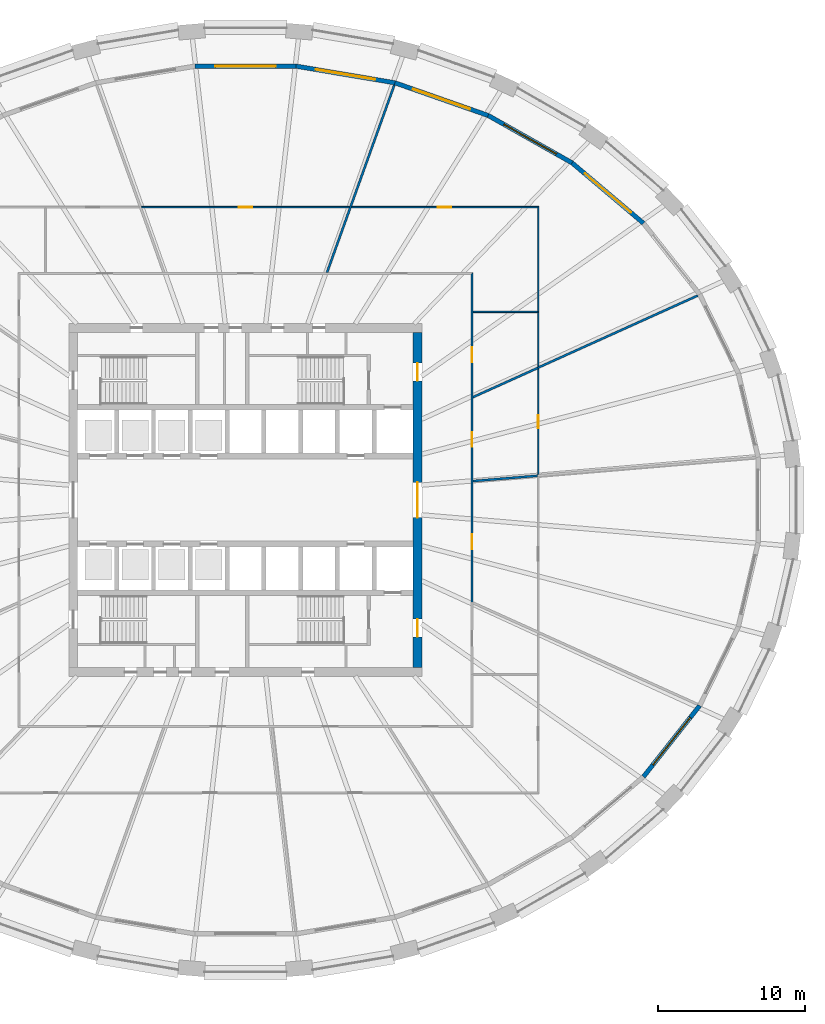
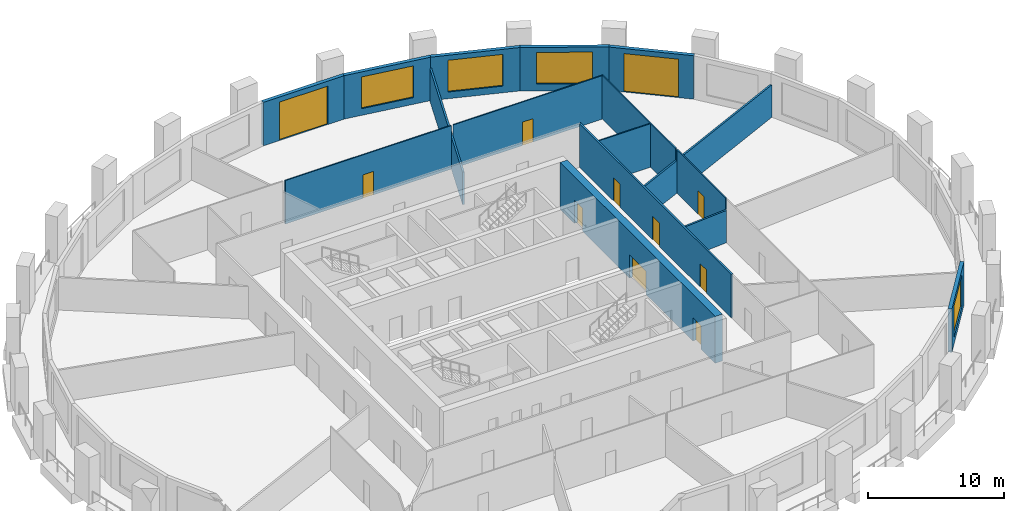
# One storey, part 7 of 11: 17 walls, 11 doors, 4 windows, 15 openings.
"""IFC4 building model written with IfcOpenShell, lengths in metres."""

from ifc_helpers import new_model, si_unit, direction, frame, frame_2d, origin, place, context, subcontext, project, spatial, polyline, rectangle, outline, extrude, material, layer, layer_set, type_object, element, fill, save


model = new_model("IFC4")

# Units and contexts
model_context = context("Model", 3, precision=1e-05, world=origin(), true_north=direction((0.0, 1.0)))
body_context = subcontext(model_context, "Body", "Model", "MODEL_VIEW")
ifc_project = project(units=[si_unit("LENGTHUNIT", "METRE"), si_unit("AREAUNIT", "SQUARE_METRE"), si_unit("VOLUMEUNIT", "CUBIC_METRE"), si_unit("PLANEANGLEUNIT", "RADIAN"), si_unit("MASSUNIT", "GRAM", prefix="KILO")], contexts=[model_context])

# Site, building, storey
site_placement = place(None, origin())
site = spatial("IfcSite", under=ifc_project, at=site_placement, CompositionType="ELEMENT")
building_placement = place(site_placement, origin())
building = spatial("IfcBuilding", under=site, at=building_placement, Name="Halqa Exchange Tower", CompositionType="ELEMENT")
storey_placement = place(building_placement, frame((0.0, 0.0, 44.5)))
storey = spatial("IfcBuildingStorey", under=building, at=storey_placement, Name="L09", CompositionType="ELEMENT", Elevation=44.5)

# Wall
ifc_material_1 = material(Name="Fire-rated gypsum board")
ifc_layer_1 = layer(ifc_material_1, 0.14990234375)
ifc_layer_set_1 = layer_set([ifc_layer_1], Name="Fire-rated gypsum board")
wall_type_1 = type_object("IfcWallType", Name="Fire partition EI 60 150", PredefinedType="PARTITIONING", material=ifc_layer_set_1)
wall_1_placement = place(storey_placement, frame((5.537841796875, 15.449951171875, 0.0), z_axis=(0.0, 0.0, 1.0), x_axis=(0.337949016046, 0.941164418448, 0.0)))
element("IfcWall", 1, at=wall_1_placement, inside=storey, type_object=wall_type_1, Name="L09-PWL-021", PredefinedType="PARTITIONING", context=body_context, shape_type="SweptSolid", body=[
    extrude(outline(polyline([(0.053466796875, -0.074951171875), (1.6376953125, -0.074951171875), (3.2216796875, -0.074951171875), (4.805908203125, -0.074951171875), (4.80810546875, -0.07421875), (4.808349609375, -0.074951171875), (6.55810546875, -0.074951171875), (8.3076171875, -0.074951171875), (10.057373046875, -0.074951171875), (11.80712890625, -0.074951171875), (13.556884765625, -0.074951171875), (13.556884765625, -0.067626953125), (13.556396484375, 0.00048828125), (13.54296875, 0.074951171875), (11.78515625, 0.074951171875), (10.027587890625, 0.074951171875), (8.269775390625, 0.074951171875), (6.511962890625, 0.074951171875), (4.754150390625, 0.074951171875), (4.660400390625, 0.041259765625), (4.648193359375, 0.074951171875), (3.098876953125, 0.074951171875), (1.54931640625, 0.074951171875), (0.0, 0.074951171875), (0.0, 0.07421875), (0.053466796875, -0.074951171875)])), origin(), (0.0, 0.0, 1.0), 2.909912109375),
])

# Wall, openings, doors
wall_2_placement = place(storey_placement, frame((15.39990234375, -6.9599609375, 0.0), z_axis=(0.0, 0.0, 1.0), x_axis=(0.0, 1.0, 0.0)))
wall_2 = element("IfcWall", 2, at=wall_2_placement, inside=storey, type_object=wall_type_1, Name="L09-PWL-027", PredefinedType="PARTITIONING", context=body_context, shape_type="SweptSolid", body=[
    extrude(outline(polyline([(0.0, -0.074951171875), (1.86962890625, -0.074951171875), (3.7392578125, -0.074951171875), (5.608642578125, -0.074951171875), (7.478271484375, -0.074951171875), (9.347900390625, -0.074951171875), (11.21728515625, -0.074951171875), (13.0869140625, -0.074951171875), (14.95654296875, -0.074951171875), (16.826171875, -0.074951171875), (18.69580078125, -0.074951171875), (20.565185546875, -0.074951171875), (22.434814453125, -0.074951171875), (22.284912109375, 0.074951171875), (20.427734375, 0.074951171875), (18.57080078125, 0.074951171875), (16.713623046875, 0.074951171875), (14.856689453125, 0.074951171875), (12.99951171875, 0.074951171875), (11.142578125, 0.074951171875), (9.285400390625, 0.074951171875), (7.42822265625, 0.074951171875), (5.5712890625, 0.074951171875), (3.714111328125, 0.074951171875), (1.857177734375, 0.074951171875), (0.0, 0.074951171875), (0.0, -0.074951171875)])), origin(), (0.0, 0.0, 1.0), 3.89990234375),
])
opening_1_placement = place(wall_2_placement, frame((3.6201171875, 0.0, 0.0)))
opening_1 = element("IfcOpeningElement", 3, at=opening_1_placement, cuts=wall_2, Name="Opening 02-12", PredefinedType="OPENING", context=body_context, shape_type="SweptSolid", body=[
    extrude(rectangle(XDim=1.0, YDim=2.10009765625, at=frame_2d((0.5, 1.050048828125))), frame((0.0, 0.0869140625, 0.0), z_axis=(0.0, -1.0, 0.0), x_axis=(1.0, 0.0, 0.0)), (0.0, 0.0, 1.0), 0.173828125),
])
opening_2_placement = place(wall_2_placement, frame((10.580078125, 0.0, 0.0)))
opening_2 = element("IfcOpeningElement", 4, at=opening_2_placement, cuts=wall_2, Name="Opening 02-13", PredefinedType="OPENING", context=body_context, shape_type="SweptSolid", body=[
    extrude(rectangle(XDim=1.0, YDim=2.10009765625, at=frame_2d((0.5, 1.050048828125))), frame((0.0, 0.0869140625, 0.0), z_axis=(0.0, -1.0, 0.0), x_axis=(1.0, 0.0, 0.0)), (0.0, 0.0, 1.0), 0.173828125),
])
opening_3_placement = place(wall_2_placement, frame((16.3349609375, 0.0, 0.0)))
opening_3 = element("IfcOpeningElement", 5, at=opening_3_placement, cuts=wall_2, Name="Opening 02-15", PredefinedType="OPENING", context=body_context, shape_type="SweptSolid", body=[
    extrude(rectangle(XDim=1.0, YDim=2.10009765625, at=frame_2d((0.5, 1.050048828125))), frame((0.0, 0.0869140625, 0.0), z_axis=(0.0, -1.0, 0.0), x_axis=(1.0, 0.0, 0.0)), (0.0, 0.0, 1.0), 0.173828125),
])
ifc_material_2 = material(Name="Steel fire door leaf", Category="steel")
door_type_1 = type_object("IfcDoorType", Name="Fire door FD30S 1000 x 2100", OperationType="SINGLE_SWING_LEFT", PredefinedType="DOOR", material=ifc_material_2)
door_1_placement = place(opening_1_placement, frame((1.0, 0.0, 0.0), z_axis=(0.0, 0.0, 1.0), x_axis=(-1.0, 0.0, 0.0)))
door_1 = element("IfcDoor", 6, at=door_1_placement, inside=storey, type_object=door_type_1, Name="L09-IDR-012", OperationType="SINGLE_SWING_LEFT", OverallHeight=2.10009765625, OverallWidth=1.0, PredefinedType="DOOR", context=body_context, shape_type="SweptSolid", body=[
    extrude(rectangle(XDim=1.0, YDim=2.10009765625, at=frame_2d((0.5, 1.050048828125))), frame((0.0, 0.02490234375, 0.0), z_axis=(0.0, -1.0, 0.0), x_axis=(1.0, 0.0, 0.0)), (0.0, 0.0, 1.0), 0.050048828125),
])
fill(opening_1, door_1)
door_2_placement = place(opening_2_placement, frame((1.0, 0.0, 0.0), z_axis=(0.0, 0.0, 1.0), x_axis=(-1.0, 0.0, 0.0)))
door_2 = element("IfcDoor", 7, at=door_2_placement, inside=storey, type_object=door_type_1, Name="L09-IDR-013", OperationType="SINGLE_SWING_LEFT", OverallHeight=2.10009765625, OverallWidth=1.0, PredefinedType="DOOR", context=body_context, shape_type="SweptSolid", body=[
    extrude(rectangle(XDim=1.0, YDim=2.10009765625, at=frame_2d((0.5, 1.050048828125))), frame((0.0, 0.02490234375, 0.0), z_axis=(0.0, -1.0, 0.0), x_axis=(1.0, 0.0, 0.0)), (0.0, 0.0, 1.0), 0.050048828125),
])
fill(opening_2, door_2)
door_3_placement = place(opening_3_placement, frame((1.0, 0.0, 0.0), z_axis=(0.0, 0.0, 1.0), x_axis=(-1.0, 0.0, 0.0)))
door_3 = element("IfcDoor", 8, at=door_3_placement, inside=storey, type_object=door_type_1, Name="L09-IDR-015", OperationType="SINGLE_SWING_RIGHT", OverallHeight=2.10009765625, OverallWidth=1.0, PredefinedType="DOOR", context=body_context, shape_type="SweptSolid", body=[
    extrude(rectangle(XDim=1.0, YDim=2.10009765625, at=frame_2d((0.5, 1.050048828125))), frame((0.0, 0.02490234375, 0.0), z_axis=(0.0, -1.0, 0.0), x_axis=(1.0, 0.0, 0.0)), (0.0, 0.0, 1.0), 0.050048828125),
])
fill(opening_3, door_3)

# Walls
wall_3_placement = place(storey_placement, frame((15.46923828125, 1.28564453125, 0.0), z_axis=(0.0, 0.0, 1.0), x_axis=(0.996634800256, 0.081969963512, 0.0)))
element("IfcWall", 9, at=wall_3_placement, inside=storey, type_object=wall_type_1, Name="L09-PWL-029", PredefinedType="PARTITIONING", context=body_context, shape_type="SweptSolid", body=[
    extrude(outline(polyline([(0.0, -0.074951171875), (1.463134765625, -0.074951171875), (2.92626953125, -0.074951171875), (4.389404296875, -0.074951171875), (4.389404296875, -0.07470703125), (4.392578125, -0.074951171875), (4.396240234375, -0.074951171875), (4.396240234375, 0.074951171875), (2.934814453125, 0.074951171875), (1.473388671875, 0.074951171875), (0.011962890625, 0.074951171875), (0.0, -0.0703125), (0.0, -0.074951171875)])), origin(), (0.0, 0.0, 1.0), 2.89208984375),
])
wall_4_placement = place(storey_placement, frame((15.444091796875, 6.97998046875, 0.0), z_axis=(0.0, 0.0, 1.0), x_axis=(0.911543776443, 0.411203044285, 0.0)))
element("IfcWall", 10, at=wall_4_placement, inside=storey, type_object=wall_type_1, Name="L09-PWL-030", PredefinedType="PARTITIONING", context=body_context, shape_type="SweptSolid", body=[
    extrude(outline(polyline([(0.0, -0.074951171875), (1.599853515625, -0.074951171875), (3.19970703125, -0.074951171875), (4.799560546875, -0.074951171875), (4.800048828125, -0.07373046875), (4.802490234375, -0.074951171875), (4.84228515625, -0.074951171875), (4.84228515625, 0.074951171875), (3.250732421875, 0.074951171875), (1.6591796875, 0.074951171875), (0.067626953125, 0.074951171875), (0.0, -0.074951171875)])), origin(), (0.0, 0.0, 1.0), 2.909912109375),
])
wall_5_placement = place(storey_placement, frame((19.8544921875, 8.9794921875, 0.0), z_axis=(0.0, 0.0, 1.0), x_axis=(0.911433390516, 0.411447657245, 0.0)))
element("IfcWall", 11, at=wall_5_placement, inside=storey, type_object=wall_type_1, Name="L09-PWL-039", PredefinedType="PARTITIONING", context=body_context, shape_type="SweptSolid", body=[
    extrude(outline(polyline([(11.947998046875, -0.074951171875), (11.947998046875, -0.06298828125), (11.946044921875, 0.00146484375), (11.927490234375, 0.074951171875), (9.962646484375, 0.074951171875), (7.998046875, 0.074951171875), (6.033203125, 0.074951171875), (4.068359375, 0.074951171875), (2.103515625, 0.074951171875), (0.138671875, 0.074951171875), (0.1376953125, 0.07275390625), (0.1328125, 0.074951171875), (0.0, 0.074951171875), (0.0, -0.043212890625), (0.070068359375, -0.074951171875), (2.0498046875, -0.074951171875), (4.029296875, -0.074951171875), (6.009033203125, -0.074951171875), (7.98876953125, -0.074951171875), (9.96826171875, -0.074951171875), (11.947998046875, -0.074951171875)])), origin(), (0.0, 0.0, 1.0), 2.909912109375),
])

# Wall, opening, door
ifc_material_3 = material(Name="Gypsum board")
ifc_layer_2 = layer(ifc_material_3, 0.10009765625)
ifc_layer_set_2 = layer_set([ifc_layer_2], Name="Gypsum board")
wall_type_2 = type_object("IfcWallType", Name="Partition 100 gypsum", PredefinedType="PARTITIONING", material=ifc_layer_set_2)
wall_6_placement = place(storey_placement, frame((-7.073974609375, 19.89990234375, 0.0), z_axis=(0.0, 0.0, 1.0), x_axis=(1.0, 0.0, 0.0)))
wall_6 = element("IfcWall", 12, at=wall_6_placement, inside=storey, type_object=wall_type_2, Name="L09-PWL-017", PredefinedType="PARTITIONING", context=body_context, shape_type="SweptSolid", body=[
    extrude(outline(polyline([(0.035888671875, -0.050048828125), (1.79541015625, -0.050048828125), (3.554931640625, -0.050048828125), (5.314453125, -0.050048828125), (7.073974609375, -0.050048828125), (8.83349609375, -0.050048828125), (10.593017578125, -0.050048828125), (12.3525390625, -0.050048828125), (14.112060546875, -0.050048828125), (14.14794921875, 0.050048828125), (14.14794921875, 0.050048828125), (12.37939453125, 0.050048828125), (10.61083984375, 0.050048828125), (8.842529296875, 0.050048828125), (7.073974609375, 0.050048828125), (5.305419921875, 0.050048828125), (3.537109375, 0.050048828125), (1.7685546875, 0.050048828125), (0.0, 0.050048828125), (0.0, 0.050048828125), (0.035888671875, -0.050048828125)])), origin(), (0.0, 0.0, 1.0), 3.89990234375),
])
opening_4_placement = place(wall_6_placement, frame((6.6240234375, 0.0, 0.0)))
opening_4 = element("IfcOpeningElement", 13, at=opening_4_placement, cuts=wall_6, Name="Opening 02-26", PredefinedType="OPENING", context=body_context, shape_type="SweptSolid", body=[
    extrude(rectangle(XDim=0.89990234375, YDim=2.10009765625, at=frame_2d((0.449951171875, 1.050048828125))), frame((0.0, 0.06201171875, 0.0), z_axis=(0.0, -1.0, 0.0), x_axis=(1.0, 0.0, 0.0)), (0.0, 0.0, 1.0), 0.1240234375),
])
ifc_material_4 = material(Name="Timber door leaf", Category="wood")
door_type_2 = type_object("IfcDoorType", Name="Door 900 x 2100", OperationType="SINGLE_SWING_LEFT", PredefinedType="DOOR", material=ifc_material_4)
door_4_placement = place(opening_4_placement, frame((0.89990234375, 0.0, 0.0), z_axis=(0.0, 0.0, 1.0), x_axis=(-1.0, 0.0, 0.0)))
door_4 = element("IfcDoor", 14, at=door_4_placement, inside=storey, type_object=door_type_2, Name="L09-IDR-026", OperationType="SINGLE_SWING_LEFT", OverallHeight=2.10009765625, OverallWidth=0.89990234375, PredefinedType="DOOR", context=body_context, shape_type="SweptSolid", body=[
    extrude(rectangle(XDim=0.89990234375, YDim=2.10009765625, at=frame_2d((0.449951171875, 1.050048828125))), frame((0.0, 0.02490234375, 0.0), z_axis=(0.0, -1.0, 0.0), x_axis=(1.0, 0.0, 0.0)), (0.0, 0.0, 1.0), 0.050048828125),
])
fill(opening_4, door_4)

wall_7_placement = place(storey_placement, frame((7.197998046875, 19.89990234375, 0.0), z_axis=(0.0, 0.0, 1.0), x_axis=(1.0, 0.0, 0.0)))
wall_7 = element("IfcWall", 15, at=wall_7_placement, inside=storey, type_object=wall_type_2, Name="L09-PWL-022", PredefinedType="PARTITIONING", context=body_context, shape_type="SweptSolid", body=[
    extrude(outline(polyline([(0.0, -0.050048828125), (1.807373046875, -0.050048828125), (3.61474609375, -0.050048828125), (5.422119140625, -0.050048828125), (7.229736328125, -0.050048828125), (9.037109375, -0.050048828125), (10.844482421875, -0.050048828125), (12.65185546875, -0.050048828125), (12.652099609375, -0.0498046875), (12.751953125, 0.050048828125), (10.935302734375, 0.050048828125), (9.11865234375, 0.050048828125), (7.302001953125, 0.050048828125), (5.4853515625, 0.050048828125), (3.668701171875, 0.050048828125), (1.85205078125, 0.050048828125), (0.035400390625, 0.050048828125), (0.0, -0.048583984375), (0.0, -0.050048828125)])), origin(), (0.0, 0.0, 1.0), 3.89990234375),
])
opening_5_placement = place(wall_7_placement, frame((5.8720703125, 0.0, 0.0)))
opening_5 = element("IfcOpeningElement", 16, at=opening_5_placement, cuts=wall_7, Name="Opening 02-25", PredefinedType="OPENING", context=body_context, shape_type="SweptSolid", body=[
    extrude(rectangle(XDim=0.89990234375, YDim=2.10009765625, at=frame_2d((0.449951171875, 1.050048828125))), frame((0.0, 0.06201171875, 0.0), z_axis=(0.0, -1.0, 0.0), x_axis=(1.0, 0.0, 0.0)), (0.0, 0.0, 1.0), 0.1240234375),
])
door_5_placement = place(opening_5_placement, frame((0.89990234375, 0.0, 0.0), z_axis=(0.0, 0.0, 1.0), x_axis=(-1.0, 0.0, 0.0)))
door_5 = element("IfcDoor", 17, at=door_5_placement, inside=storey, type_object=door_type_2, Name="L09-IDR-025", OperationType="SINGLE_SWING_LEFT", OverallHeight=2.10009765625, OverallWidth=0.89990234375, PredefinedType="DOOR", context=body_context, shape_type="SweptSolid", body=[
    extrude(rectangle(XDim=0.89990234375, YDim=2.10009765625, at=frame_2d((0.449951171875, 1.050048828125))), frame((0.0, 0.02490234375, 0.0), z_axis=(0.0, -1.0, 0.0), x_axis=(1.0, 0.0, 0.0)), (0.0, 0.0, 1.0), 0.050048828125),
])
fill(opening_5, door_5)

wall_8_placement = place(storey_placement, frame((19.89990234375, 8.93994140625, 0.0), z_axis=(0.0, 0.0, 1.0), x_axis=(0.0, -1.0, 0.0)))
wall_8 = element("IfcWall", 18, at=wall_8_placement, inside=storey, type_object=wall_type_2, Name="L09-PWL-037", PredefinedType="PARTITIONING", context=body_context, shape_type="SweptSolid", body=[
    extrude(outline(polyline([(7.20849609375, -0.050048828125), (7.20849609375, -0.045654296875), (7.20068359375, 0.050048828125), (5.400390625, 0.050048828125), (3.600341796875, 0.050048828125), (1.800048828125, 0.050048828125), (0.0, 0.050048828125), (0.0, 0.04931640625), (0.02880859375, -0.0146484375), (0.0, -0.027587890625), (0.0, -0.02783203125), (0.037353515625, -0.010986328125), (0.054931640625, -0.050048828125), (1.84326171875, -0.050048828125), (3.631591796875, -0.050048828125), (5.420166015625, -0.050048828125), (7.20849609375, -0.050048828125)])), origin(), (0.0, 0.0, 1.0), 3.89990234375),
])
opening_6_placement = place(wall_8_placement, frame((3.1650390625, 0.0, 0.0)))
opening_6 = element("IfcOpeningElement", 19, at=opening_6_placement, cuts=wall_8, Name="Opening 02-24", PredefinedType="OPENING", context=body_context, shape_type="SweptSolid", body=[
    extrude(rectangle(XDim=0.89990234375, YDim=2.10009765625, at=frame_2d((0.449951171875, 1.050048828125))), frame((0.0, 0.06201171875, 0.0), z_axis=(0.0, -1.0, 0.0), x_axis=(1.0, 0.0, 0.0)), (0.0, 0.0, 1.0), 0.1240234375),
])
door_6_placement = place(opening_6_placement, frame((0.89990234375, 0.0, 0.0), z_axis=(0.0, 0.0, 1.0), x_axis=(-1.0, 0.0, 0.0)))
door_6 = element("IfcDoor", 20, at=door_6_placement, inside=storey, type_object=door_type_2, Name="L09-IDR-024", OperationType="SINGLE_SWING_LEFT", OverallHeight=2.10009765625, OverallWidth=0.89990234375, PredefinedType="DOOR", context=body_context, shape_type="SweptSolid", body=[
    extrude(rectangle(XDim=0.89990234375, YDim=2.10009765625, at=frame_2d((0.449951171875, 1.050048828125))), frame((0.0, 0.02490234375, 0.0), z_axis=(0.0, -1.0, 0.0), x_axis=(1.0, 0.0, 0.0)), (0.0, 0.0, 1.0), 0.050048828125),
])
fill(opening_6, door_6)

# Walls
wall_9_placement = place(storey_placement, frame((19.89990234375, 9.1025390625, 0.0), z_axis=(0.0, 0.0, 1.0), x_axis=(0.0, 1.0, 0.0)))
element("IfcWall", 21, at=wall_9_placement, inside=storey, type_object=wall_type_2, Name="L09-PWL-038", PredefinedType="PARTITIONING", context=body_context, shape_type="SweptSolid", body=[
    extrude(outline(polyline([(0.0, -0.050048828125), (1.807861328125, -0.050048828125), (3.61572265625, -0.050048828125), (5.423828125, -0.050048828125), (7.231689453125, -0.050048828125), (9.03955078125, -0.050048828125), (10.847412109375, -0.050048828125), (10.747314453125, 0.050048828125), (8.9560546875, 0.050048828125), (7.164794921875, 0.050048828125), (5.37353515625, 0.050048828125), (3.58251953125, 0.050048828125), (1.791259765625, 0.050048828125), (0.0, 0.050048828125), (0.0, -0.050048828125)])), origin(), (0.0, 0.0, 1.0), 3.89990234375),
])
wall_10_placement = place(storey_placement, frame((19.85009765625, 12.7900390625, 0.0), z_axis=(0.0, 0.0, 1.0), x_axis=(-1.0, 0.0, 0.0)))
element("IfcWall", 22, at=wall_10_placement, inside=storey, type_object=wall_type_2, Name="L09-PWL-040", PredefinedType="PARTITIONING", context=body_context, shape_type="SweptSolid", body=[
    extrude(rectangle(XDim=4.375, YDim=0.10009765625, at=frame_2d((2.1875, 0.0))), origin(), (0.0, 0.0, 1.0), 3.89990234375),
])

# Wall, openings, doors
ifc_material_5 = material(Name="Concrete C80/95", Category="concrete")
ifc_layer_3 = layer(ifc_material_5, 0.60009765625)
ifc_layer_set_3 = layer_set([ifc_layer_3], Name="Concrete C80/95")
wall_type_3 = type_object("IfcWallType", Name="RC core wall 600 C80/95", PredefinedType="SHEAR", material=ifc_layer_set_3)
wall_11_placement = place(storey_placement, frame((11.699951171875, -11.39990234375, 0.0), z_axis=(0.0, 0.0, 1.0), x_axis=(0.0, 1.0, 0.0)))
wall_11 = element("IfcWall", 23, at=wall_11_placement, inside=storey, type_object=wall_type_3, Name="Core wall east", PredefinedType="SHEAR", context=body_context, shape_type="SweptSolid", body=[
    extrude(rectangle(XDim=22.7998046875, YDim=0.60009765625, at=frame_2d((11.39990234375, 0.0))), origin(), (0.0, 0.0, 1.0), 4.199951171875),
])
opening_7_placement = place(wall_11_placement, frame((10.199951171875, 0.0, 0.0)))
opening_7 = element("IfcOpeningElement", 24, at=opening_7_placement, cuts=wall_11, Name="Opening T02-C14", PredefinedType="OPENING", context=body_context, shape_type="SweptSolid", body=[
    extrude(rectangle(XDim=2.39990234375, YDim=2.10009765625, at=frame_2d((1.199951171875, 1.050048828125))), frame((0.0, 0.31201171875, 0.0), z_axis=(0.0, -1.0, 0.0), x_axis=(1.0, 0.0, 0.0)), (0.0, 0.0, 1.0), 0.6240234375),
])
opening_8_placement = place(wall_11_placement, frame((19.5, 0.0, 0.0)))
opening_8 = element("IfcOpeningElement", 25, at=opening_8_placement, cuts=wall_11, Name="Opening T02-C19", PredefinedType="OPENING", context=body_context, shape_type="SweptSolid", body=[
    extrude(rectangle(XDim=1.199951171875, YDim=2.10009765625, at=frame_2d((0.60009765625, 1.050048828125))), frame((0.0, 0.31201171875, 0.0), z_axis=(0.0, -1.0, 0.0), x_axis=(1.0, 0.0, 0.0)), (0.0, 0.0, 1.0), 0.6240234375),
])
opening_9_placement = place(wall_11_placement, frame((2.10009765625, 0.0, 0.0)))
opening_9 = element("IfcOpeningElement", 26, at=opening_9_placement, cuts=wall_11, Name="Opening T02-C20", PredefinedType="OPENING", context=body_context, shape_type="SweptSolid", body=[
    extrude(rectangle(XDim=1.199951171875, YDim=2.10009765625, at=frame_2d((0.60009765625, 1.050048828125))), frame((0.0, 0.31201171875, 0.0), z_axis=(0.0, -1.0, 0.0), x_axis=(1.0, 0.0, 0.0)), (0.0, 0.0, 1.0), 0.6240234375),
])
door_type_3 = type_object("IfcDoorType", Name="Firefighting lobby door FD90 1200 x 2100", OperationType="SINGLE_SWING_RIGHT", PredefinedType="DOOR", material=ifc_material_2)
door_7_placement = place(opening_8_placement, origin())
door_7 = element("IfcDoor", 27, at=door_7_placement, inside=storey, type_object=door_type_3, Name="Firefighting lobby door", OperationType="SINGLE_SWING_RIGHT", OverallHeight=2.10009765625, OverallWidth=1.199951171875, PredefinedType="DOOR", context=body_context, shape_type="SweptSolid", body=[
    extrude(rectangle(XDim=1.199951171875, YDim=2.10009765625, at=frame_2d((0.60009765625, 1.050048828125))), frame((0.0, 0.02490234375, 0.0), z_axis=(0.0, -1.0, 0.0), x_axis=(1.0, 0.0, 0.0)), (0.0, 0.0, 1.0), 0.050048828125),
])
fill(opening_8, door_7)
door_8_placement = place(opening_9_placement, origin())
door_8 = element("IfcDoor", 28, at=door_8_placement, inside=storey, type_object=door_type_3, Name="Firefighting lobby door", OperationType="SINGLE_SWING_LEFT", OverallHeight=2.10009765625, OverallWidth=1.199951171875, PredefinedType="DOOR", context=body_context, shape_type="SweptSolid", body=[
    extrude(rectangle(XDim=1.199951171875, YDim=2.10009765625, at=frame_2d((0.60009765625, 1.050048828125))), frame((0.0, 0.02490234375, 0.0), z_axis=(0.0, -1.0, 0.0), x_axis=(1.0, 0.0, 0.0)), (0.0, 0.0, 1.0), 0.050048828125),
])
fill(opening_9, door_8)
door_type_4 = type_object("IfcDoorType", Name="Lobby double door FD60 2400 x 2100", OperationType="DOUBLE_DOOR_SINGLE_SWING", PredefinedType="DOOR", material=ifc_material_2)
door_9_placement = place(opening_7_placement, origin())
door_9 = element("IfcDoor", 29, at=door_9_placement, inside=storey, type_object=door_type_4, Name="Lift lobby double door", OperationType="DOUBLE_DOOR_SINGLE_SWING", OverallHeight=2.10009765625, OverallWidth=2.39990234375, PredefinedType="DOOR", context=body_context, shape_type="SweptSolid", body=[
    extrude(rectangle(XDim=2.39990234375, YDim=2.10009765625, at=frame_2d((1.199951171875, 1.050048828125))), frame((0.0, 0.02490234375, 0.0), z_axis=(0.0, -1.0, 0.0), x_axis=(1.0, 0.0, 0.0)), (0.0, 0.0, 1.0), 0.050048828125),
])
fill(opening_7, door_9)

# Wall, opening, door
ifc_material_6 = material(Name="Limestone cladding", Category="masonry")
ifc_layer_4 = layer(ifc_material_6, 0.0400390625)
ifc_material_7 = material(Name="Ventilated cavity")
ifc_layer_5 = layer(ifc_material_7, 0.030029296875, ventilated=True)
ifc_material_8 = material(Name="Mineral wool insulation")
ifc_layer_6 = layer(ifc_material_8, 0.10009765625)
ifc_material_9 = material(Name="Concrete C30/37", Category="concrete")
ifc_layer_7 = layer(ifc_material_9, 0.10009765625)
ifc_material_10 = material(Name="Internal plaster")
ifc_layer_8 = layer(ifc_material_10, 0.030029296875)
ifc_layer_set_4 = layer_set([ifc_layer_4, ifc_layer_5, ifc_layer_6, ifc_layer_7, ifc_layer_8], Name="Stone-faced insulated wall 300")
wall_type_4 = type_object("IfcWallType", Name="Stone-faced insulated wall 300", PredefinedType="STANDARD", material=ifc_layer_set_4)
wall_12_placement = place(storey_placement, frame((27.053955078125, 18.8056640625, 0.0), z_axis=(0.0, 0.0, 1.0), x_axis=(-0.763577077796, 0.645716691951, 0.0)))
wall_12 = element("IfcWall", 30, at=wall_12_placement, inside=storey, type_object=wall_type_4, Name="Glass-line wall 4", PredefinedType="STANDARD", context=body_context, shape_type="SweptSolid", body=[
    extrude(outline(polyline([(-0.01513671875, -0.14990234375), (6.371337890625, -0.14990234375), (6.343017578125, 0.14990234375), (0.01513671875, 0.14990234375), (-0.01513671875, -0.14990234375)])), origin(), (0.0, 0.0, 1.0), 3.89990234375),
])
opening_10_placement = place(wall_12_placement, frame((1.128662109375, 0.0, 0.0)))
opening_10 = element("IfcOpeningElement", 31, at=opening_10_placement, cuts=wall_12, Name="Opening LG-F1-01", PredefinedType="OPENING", context=body_context, shape_type="SweptSolid", body=[
    extrude(rectangle(XDim=4.10009765625, YDim=3.449951171875, at=frame_2d((2.050048828125, 1.72509765625))), frame((0.0, 0.162109375, 0.0), z_axis=(0.0, -1.0, 0.0), x_axis=(1.0, 0.0, 0.0)), (0.0, 0.0, 1.0), 0.323974609375),
])
ifc_material_11 = material(Name="Clear low-emissivity glass in aluminium frame", Category="aluminium")
door_type_5 = type_object("IfcDoorType", Name="Glazed sliding loggia door 4100 x 3450", OperationType="DOUBLE_DOOR_SLIDING", PredefinedType="DOOR", material=ifc_material_11)
door_10_placement = place(opening_10_placement, origin())
door_10 = element("IfcDoor", 32, at=door_10_placement, inside=storey, type_object=door_type_5, Name="Loggia door 1", OperationType="DOUBLE_DOOR_SLIDING", OverallHeight=3.449951171875, OverallWidth=4.10009765625, PredefinedType="DOOR", context=body_context, shape_type="SweptSolid", body=[
    extrude(rectangle(XDim=4.10009765625, YDim=3.449951171875, at=frame_2d((2.050048828125, 1.72509765625))), frame((0.0, 0.02490234375, 0.0), z_axis=(0.0, -1.0, 0.0), x_axis=(1.0, 0.0, 0.0)), (0.0, 0.0, 1.0), 0.050048828125),
])
fill(opening_10, door_10)

# Wall, opening, window
wall_13_placement = place(storey_placement, frame((22.19970703125, 22.91064453125, 0.0), z_axis=(0.0, 0.0, 1.0), x_axis=(-0.87061279013, 0.491968870623, 0.0)))
wall_13 = element("IfcWall", 33, at=wall_13_placement, inside=storey, type_object=wall_type_4, Name="Glass-line wall 5", PredefinedType="STANDARD", context=body_context, shape_type="SweptSolid", body=[
    extrude(outline(polyline([(-0.01416015625, -0.14990234375), (6.56689453125, -0.14990234375), (6.5400390625, 0.14990234375), (0.01416015625, 0.14990234375), (-0.01416015625, -0.14990234375)])), origin(), (0.0, 0.0, 1.0), 3.89990234375),
])
opening_11_placement = place(wall_13_placement, frame((1.226806640625, 0.0, 0.60009765625)))
opening_11 = element("IfcOpeningElement", 34, at=opening_11_placement, cuts=wall_13, Name="Opening W-F1-05", PredefinedType="OPENING", context=body_context, shape_type="SweptSolid", body=[
    extrude(rectangle(XDim=4.10009765625, YDim=2.85009765625, at=frame_2d((2.050048828125, 1.425048828125))), frame((0.0, 0.162109375, 0.0), z_axis=(0.0, -1.0, 0.0), x_axis=(1.0, 0.0, 0.0)), (0.0, 0.0, 1.0), 0.323974609375),
])
window_type = type_object("IfcWindowType", Name="Fixed clear glazed window 4100 x 2850", PartitioningType="TRIPLE_PANEL_VERTICAL", PredefinedType="WINDOW", material=ifc_material_11)
window_1_placement = place(opening_11_placement, origin())
window_1 = element("IfcWindow", 35, at=window_1_placement, inside=storey, type_object=window_type, Name="Window 1", OverallHeight=2.85009765625, OverallWidth=4.10009765625, PartitioningType="TRIPLE_PANEL_VERTICAL", PredefinedType="WINDOW", context=body_context, shape_type="SweptSolid", body=[
    extrude(rectangle(XDim=4.10009765625, YDim=2.85009765625, at=frame_2d((2.050048828125, 1.425048828125))), frame((0.0, 0.030029296875, 0.0), z_axis=(0.0, -1.0, 0.0), x_axis=(1.0, 0.0, 0.0)), (0.0, 0.0, 1.0), 0.06005859375),
])
fill(opening_11, window_1)

wall_14_placement = place(storey_placement, frame((16.494140625, 26.134765625, 0.0), z_axis=(0.0, 0.0, 1.0), x_axis=(-0.943778979427, 0.330577128657, 0.0)))
wall_14 = element("IfcWall", 36, at=wall_14_placement, inside=storey, type_object=wall_type_4, Name="Glass-line wall 6", PredefinedType="STANDARD", context=body_context, shape_type="SweptSolid", body=[
    extrude(outline(polyline([(-0.013427734375, -0.14990234375), (6.72802734375, -0.14990234375), (6.70263671875, 0.14990234375), (0.013427734375, 0.14990234375), (-0.013427734375, -0.14990234375)])), origin(), (0.0, 0.0, 1.0), 3.89990234375),
])
opening_12_placement = place(wall_14_placement, frame((1.3076171875, 0.0, 0.60009765625)))
opening_12 = element("IfcOpeningElement", 37, at=opening_12_placement, cuts=wall_14, Name="Opening W-F1-06", PredefinedType="OPENING", context=body_context, shape_type="SweptSolid", body=[
    extrude(rectangle(XDim=4.10009765625, YDim=2.85009765625, at=frame_2d((2.050048828125, 1.425048828125))), frame((0.0, 0.162109375, 0.0), z_axis=(0.0, -1.0, 0.0), x_axis=(1.0, 0.0, 0.0)), (0.0, 0.0, 1.0), 0.323974609375),
])
window_2_placement = place(opening_12_placement, origin())
window_2 = element("IfcWindow", 38, at=window_2_placement, inside=storey, type_object=window_type, Name="Window 1", OverallHeight=2.85009765625, OverallWidth=4.10009765625, PartitioningType="TRIPLE_PANEL_VERTICAL", PredefinedType="WINDOW", context=body_context, shape_type="SweptSolid", body=[
    extrude(rectangle(XDim=4.10009765625, YDim=2.85009765625, at=frame_2d((2.050048828125, 1.425048828125))), frame((0.0, 0.030029296875, 0.0), z_axis=(0.0, -1.0, 0.0), x_axis=(1.0, 0.0, 0.0)), (0.0, 0.0, 1.0), 0.06005859375),
])
fill(opening_12, window_2)

wall_15_placement = place(storey_placement, frame((10.15625, 28.354736328125, 0.0), z_axis=(0.0, 0.0, 1.0), x_axis=(-0.986145179906, 0.165884550659, 0.0)))
wall_15 = element("IfcWall", 39, at=wall_15_placement, inside=storey, type_object=wall_type_4, Name="Glass-line wall 7", PredefinedType="STANDARD", context=body_context, shape_type="SweptSolid", body=[
    extrude(outline(polyline([(-0.0126953125, -0.14990234375), (6.833984375, -0.14990234375), (6.80908203125, 0.14990234375), (0.0126953125, 0.14990234375), (-0.0126953125, -0.14990234375)])), origin(), (0.0, 0.0, 1.0), 3.89990234375),
])
opening_13_placement = place(wall_15_placement, frame((1.36083984375, 0.0, 0.60009765625)))
opening_13 = element("IfcOpeningElement", 40, at=opening_13_placement, cuts=wall_15, Name="Opening W-F1-07", PredefinedType="OPENING", context=body_context, shape_type="SweptSolid", body=[
    extrude(rectangle(XDim=4.10009765625, YDim=2.85009765625, at=frame_2d((2.050048828125, 1.425048828125))), frame((0.0, 0.162109375, 0.0), z_axis=(0.0, -1.0, 0.0), x_axis=(1.0, 0.0, 0.0)), (0.0, 0.0, 1.0), 0.323974609375),
])
window_3_placement = place(opening_13_placement, origin())
window_3 = element("IfcWindow", 41, at=window_3_placement, inside=storey, type_object=window_type, Name="Window 1", OverallHeight=2.85009765625, OverallWidth=4.10009765625, PartitioningType="TRIPLE_PANEL_VERTICAL", PredefinedType="WINDOW", context=body_context, shape_type="SweptSolid", body=[
    extrude(rectangle(XDim=4.10009765625, YDim=2.85009765625, at=frame_2d((2.050048828125, 1.425048828125))), frame((0.0, 0.030029296875, 0.0), z_axis=(0.0, -1.0, 0.0), x_axis=(1.0, 0.0, 0.0)), (0.0, 0.0, 1.0), 0.06005859375),
])
fill(opening_13, window_3)

# Wall, opening, door
wall_16_placement = place(storey_placement, frame((3.42919921875, 29.486328125, 0.0), z_axis=(0.0, 0.0, 1.0), x_axis=(-1.0, 0.0, 0.0)))
wall_16 = element("IfcWall", 42, at=wall_16_placement, inside=storey, type_object=wall_type_4, Name="Glass-line wall 8", PredefinedType="STANDARD", context=body_context, shape_type="SweptSolid", body=[
    extrude(outline(polyline([(-0.012451171875, -0.14990234375), (6.870849609375, -0.14990234375), (6.845947265625, 0.14990234375), (0.012451171875, 0.14990234375), (-0.012451171875, -0.14990234375)])), origin(), (0.0, 0.0, 1.0), 3.89990234375),
])
opening_14_placement = place(wall_16_placement, frame((1.379150390625, 0.0, 0.0)))
opening_14 = element("IfcOpeningElement", 43, at=opening_14_placement, cuts=wall_16, Name="Opening LG-F1-02", PredefinedType="OPENING", context=body_context, shape_type="SweptSolid", body=[
    extrude(rectangle(XDim=4.10009765625, YDim=3.449951171875, at=frame_2d((2.050048828125, 1.72509765625))), frame((0.0, 0.162109375, 0.0), z_axis=(0.0, -1.0, 0.0), x_axis=(1.0, 0.0, 0.0)), (0.0, 0.0, 1.0), 0.323974609375),
])
door_11_placement = place(opening_14_placement, origin())
door_11 = element("IfcDoor", 44, at=door_11_placement, inside=storey, type_object=door_type_5, Name="Loggia door 2", OperationType="DOUBLE_DOOR_SLIDING", OverallHeight=3.449951171875, OverallWidth=4.10009765625, PredefinedType="DOOR", context=body_context, shape_type="SweptSolid", body=[
    extrude(rectangle(XDim=4.10009765625, YDim=3.449951171875, at=frame_2d((2.050048828125, 1.72509765625))), frame((0.0, 0.02490234375, 0.0), z_axis=(0.0, -1.0, 0.0), x_axis=(1.0, 0.0, 0.0)), (0.0, 0.0, 1.0), 0.050048828125),
])
fill(opening_14, door_11)

# Wall, opening, window
wall_17_placement = place(storey_placement, frame((27.053955078125, -18.8056640625, 0.0), z_axis=(0.0, 0.0, 1.0), x_axis=(0.61992334328, 0.784662378642, 0.0)))
wall_17 = element("IfcWall", 45, at=wall_17_placement, inside=storey, type_object=wall_type_4, Name="Glass-line wall 29", PredefinedType="STANDARD", context=body_context, shape_type="SweptSolid", body=[
    extrude(outline(polyline([(-0.01513671875, -0.14990234375), (6.1708984375, -0.14990234375), (6.138671875, 0.14990234375), (0.01513671875, 0.14990234375), (-0.01513671875, -0.14990234375)])), origin(), (0.0, 0.0, 1.0), 3.89990234375),
])
opening_15_placement = place(wall_17_placement, frame((1.02734375, 0.0, 0.60009765625)))
opening_15 = element("IfcOpeningElement", 46, at=opening_15_placement, cuts=wall_17, Name="Opening W-F1-29", PredefinedType="OPENING", context=body_context, shape_type="SweptSolid", body=[
    extrude(rectangle(XDim=4.10009765625, YDim=2.85009765625, at=frame_2d((2.050048828125, 1.425048828125))), frame((0.0, 0.162109375, 0.0), z_axis=(0.0, -1.0, 0.0), x_axis=(1.0, 0.0, 0.0)), (0.0, 0.0, 1.0), 0.323974609375),
])
window_4_placement = place(opening_15_placement, origin())
window_4 = element("IfcWindow", 47, at=window_4_placement, inside=storey, type_object=window_type, Name="Window 1", OverallHeight=2.85009765625, OverallWidth=4.10009765625, PartitioningType="TRIPLE_PANEL_VERTICAL", PredefinedType="WINDOW", context=body_context, shape_type="SweptSolid", body=[
    extrude(rectangle(XDim=4.10009765625, YDim=2.85009765625, at=frame_2d((2.050048828125, 1.425048828125))), frame((0.0, 0.030029296875, 0.0), z_axis=(0.0, -1.0, 0.0), x_axis=(1.0, 0.0, 0.0)), (0.0, 0.0, 1.0), 0.06005859375),
])
fill(opening_15, window_4)

save(model, "model.ifc")
